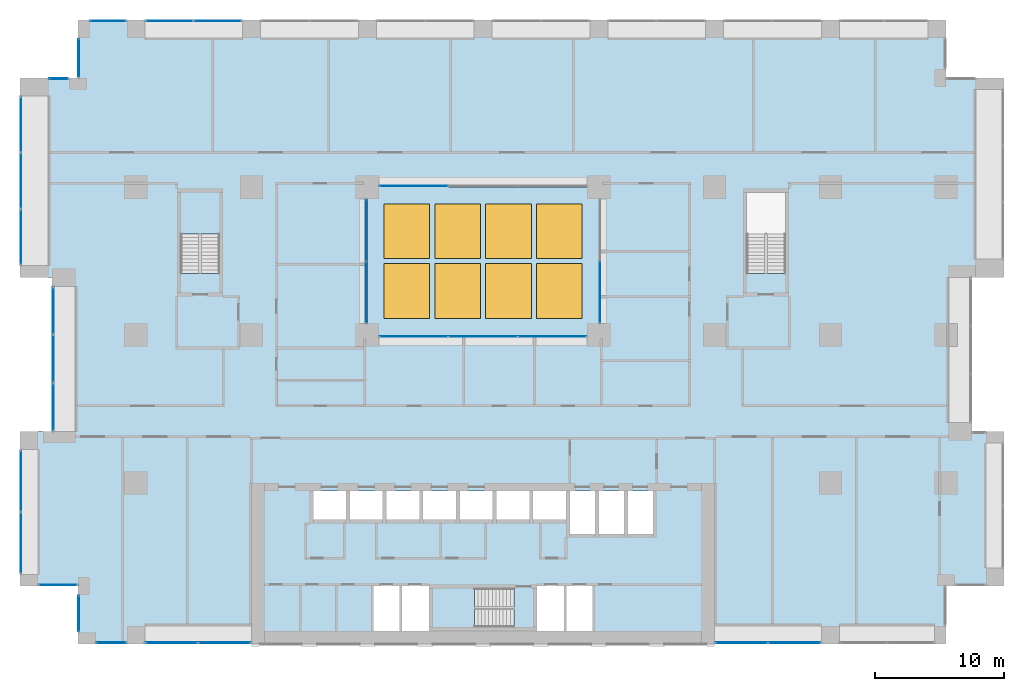
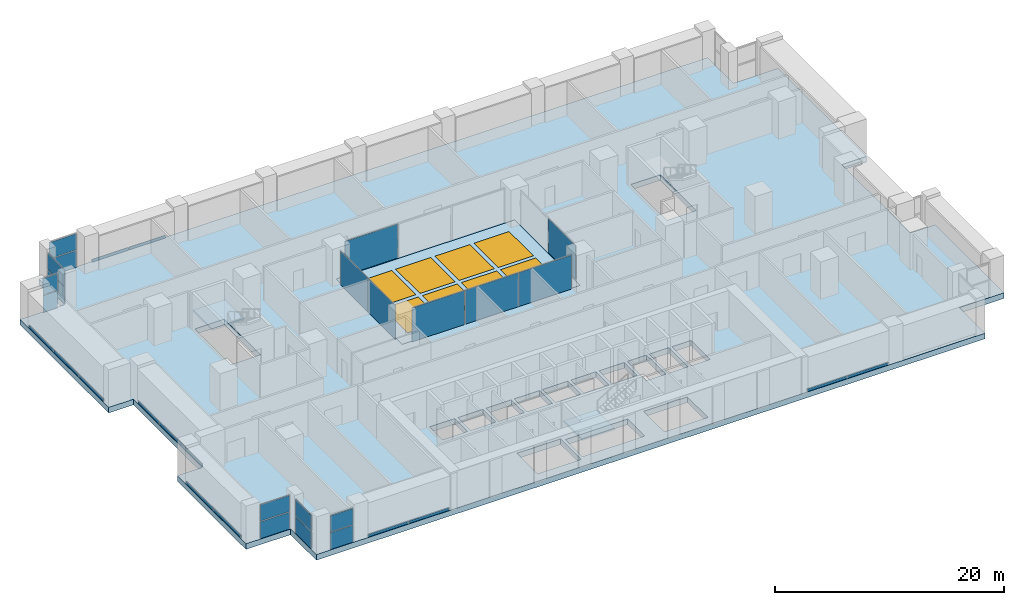
# One storey, part 18 of 24: 33 plates, 8 windows, 4 slabs, 8 openings, 18 elements without a shape of their own.
"""IFC4 building model written with IfcOpenShell, lengths in metres."""

from ifc_helpers import new_model, si_unit, direction, frame, origin, origin_2d, place, context, subcontext, project, spatial, polyline, rectangle, outline, extrude, material, layer, layer_set, type_object, element, fill, aggregate, save


model = new_model("IFC4")

# Units and contexts
model_context = context("Model", 3, precision=1e-05, world=origin(), true_north=direction((0.0, 1.0)))
body_context = subcontext(model_context, "Body", "Model", "MODEL_VIEW")
ifc_project = project(units=[si_unit("LENGTHUNIT", "METRE"), si_unit("AREAUNIT", "SQUARE_METRE"), si_unit("VOLUMEUNIT", "CUBIC_METRE"), si_unit("PLANEANGLEUNIT", "RADIAN"), si_unit("MASSUNIT", "GRAM", prefix="KILO")], contexts=[model_context])

# Site, building, storey
site_placement = place(None, origin())
site = spatial("IfcSite", under=ifc_project, at=site_placement, CompositionType="ELEMENT")
building_placement = place(site_placement, origin())
building = spatial("IfcBuilding", under=site, at=building_placement, Name="Brigalow Station Residences", CompositionType="ELEMENT")
storey_placement = place(building_placement, frame((0.0, 0.0, 15.5)))
storey = spatial("IfcBuildingStorey", under=building, at=storey_placement, Name="L03", CompositionType="ELEMENT", Elevation=15.5)

# Curtain wall, plates
ifc_material_1 = material(Name="Aluminium", Category="aluminium")
ifc_layer_1 = layer(ifc_material_1, 0.14990234375)
ifc_layer_set_1 = layer_set([ifc_layer_1], Name="ATRIUM FIRE-RATED GLAZING CURTAIN WALL")
curtain_wall_type_1 = type_object("IfcCurtainWallType", Name="ATRIUM FIRE-RATED GLAZING CURTAIN WALL", PredefinedType="NOTDEFINED", material=ifc_layer_set_1)
curtain_wall_1_placement = place(storey_placement, origin())
curtain_wall_1 = element("IfcCurtainWall", 1, at=curtain_wall_1_placement, inside=storey, type_object=curtain_wall_type_1, Name="L03/cw/atrium-S", PredefinedType="NOTDEFINED")
ifc_material_2 = material(Name="Fire-resisting laminated glazing, FRL -/60/-", Category="glass")
ifc_layer_2 = layer(ifc_material_2, 0.031982421875)
ifc_layer_set_2 = layer_set([ifc_layer_2], Name="ATRIUM FIRE-RATED GLAZING PANEL 32")
plate_type_1 = type_object("IfcPlateType", Name="ATRIUM FIRE-RATED GLAZING PANEL 32", PredefinedType="CURTAIN_PANEL", material=ifc_layer_set_2)
plate_1_placement = place(storey_placement, frame((30.614990234375, 23.89990234375, 0.0), z_axis=(0.0, 0.0, 1.0), x_axis=(1.0, 0.0, 0.0)))
plate_1 = element("IfcPlate", 2, at=plate_1_placement, type_object=plate_type_1, Name="L03/cw/atrium-S/P00-00", PredefinedType="CURTAIN_PANEL", context=body_context, shape_type="SweptSolid", body=[
    extrude(rectangle(XDim=5.31005859375, YDim=0.031982421875, at=origin_2d()), origin(), (0.0, 0.0, 1.0), 3.6201171875),
])
plate_2_placement = place(storey_placement, frame((36.0, 23.89990234375, 0.0), z_axis=(0.0, 0.0, 1.0), x_axis=(1.0, 0.0, 0.0)))
plate_2 = element("IfcPlate", 3, at=plate_2_placement, type_object=plate_type_1, Name="L03/cw/atrium-S/P01-00", PredefinedType="CURTAIN_PANEL", context=body_context, shape_type="SweptSolid", body=[
    extrude(rectangle(XDim=5.340087890625, YDim=0.031982421875, at=origin_2d()), origin(), (0.0, 0.0, 1.0), 3.6201171875),
])
plate_3_placement = place(storey_placement, frame((41.385009765625, 23.89990234375, 0.0), z_axis=(0.0, 0.0, 1.0), x_axis=(1.0, 0.0, 0.0)))
plate_3 = element("IfcPlate", 4, at=plate_3_placement, type_object=plate_type_1, Name="L03/cw/atrium-S/P02-00", PredefinedType="CURTAIN_PANEL", context=body_context, shape_type="SweptSolid", body=[
    extrude(rectangle(XDim=5.31005859375, YDim=0.031982421875, at=origin_2d()), origin(), (0.0, 0.0, 1.0), 3.6201171875),
])
aggregate(curtain_wall_1, [plate_1, plate_2, plate_3])

# Curtain wall, plate
curtain_wall_2_placement = place(storey_placement, origin())
curtain_wall_2 = element("IfcCurtainWall", 5, at=curtain_wall_2_placement, inside=storey, type_object=curtain_wall_type_1, Name="L03/cw/atrium-E", PredefinedType="NOTDEFINED")
plate_4_placement = place(storey_placement, frame((45.10009765625, 27.340087890625, 0.0), z_axis=(0.0, 0.0, 1.0), x_axis=(0.0, 1.0, 0.0)))
plate_4 = element("IfcPlate", 6, at=plate_4_placement, type_object=plate_type_1, Name="L03/cw/atrium-E/P00-00", PredefinedType="CURTAIN_PANEL", context=body_context, shape_type="SweptSolid", body=[
    extrude(rectangle(XDim=4.760009765625, YDim=0.031982421875, at=origin_2d()), origin(), (0.0, 0.0, 1.0), 3.6201171875),
])
aggregate(curtain_wall_2, [plate_4])

curtain_wall_3_placement = place(storey_placement, origin())
curtain_wall_3 = element("IfcCurtainWall", 7, at=curtain_wall_3_placement, inside=storey, type_object=curtain_wall_type_1, Name="L03/cw/atrium-N", PredefinedType="NOTDEFINED")
plate_5_placement = place(storey_placement, frame((30.614990234375, 35.60009765625, 0.0), z_axis=(0.0, 0.0, 1.0), x_axis=(-1.0, 0.0, 0.0)))
plate_5 = element("IfcPlate", 8, at=plate_5_placement, type_object=plate_type_1, Name="L03/cw/atrium-N/P02-00", PredefinedType="CURTAIN_PANEL", context=body_context, shape_type="SweptSolid", body=[
    extrude(rectangle(XDim=5.31005859375, YDim=0.031982421875, at=origin_2d()), origin(), (0.0, 0.0, 1.0), 3.6201171875),
])
aggregate(curtain_wall_3, [plate_5])

# Curtain wall, plates
curtain_wall_4_placement = place(storey_placement, origin())
curtain_wall_4 = element("IfcCurtainWall", 9, at=curtain_wall_4_placement, inside=storey, type_object=curtain_wall_type_1, Name="L03/cw/atrium-W", PredefinedType="NOTDEFINED")
plate_6_placement = place(storey_placement, frame((26.89990234375, 32.159912109375, 0.0), z_axis=(0.0, 0.0, 1.0), x_axis=(0.0, -1.0, 0.0)))
plate_6 = element("IfcPlate", 10, at=plate_6_placement, type_object=plate_type_1, Name="L03/cw/atrium-W/P00-00", PredefinedType="CURTAIN_PANEL", context=body_context, shape_type="SweptSolid", body=[
    extrude(rectangle(XDim=4.760009765625, YDim=0.031982421875, at=origin_2d()), origin(), (0.0, 0.0, 1.0), 3.6201171875),
])
plate_7_placement = place(storey_placement, frame((26.89990234375, 27.340087890625, 0.0), z_axis=(0.0, 0.0, 1.0), x_axis=(0.0, -1.0, 0.0)))
plate_7 = element("IfcPlate", 11, at=plate_7_placement, type_object=plate_type_1, Name="L03/cw/atrium-W/P01-00", PredefinedType="CURTAIN_PANEL", context=body_context, shape_type="SweptSolid", body=[
    extrude(rectangle(XDim=4.760009765625, YDim=0.031982421875, at=origin_2d()), origin(), (0.0, 0.0, 1.0), 3.6201171875),
])
aggregate(curtain_wall_4, [plate_6, plate_7])

# Slab, openings, windows
ifc_material_3 = material(Name="Concrete C50", Category="concrete")
ifc_layer_3 = layer(ifc_material_3, 0.60009765625)
ifc_layer_set_3 = layer_set([ifc_layer_3], Name="ATRIUM LID FRAME 600")
slab_type_1 = type_object("IfcSlabType", Name="ATRIUM LID FRAME 600", PredefinedType="ROOF", material=ifc_layer_set_3)
slab_1_placement = place(storey_placement, frame((0.0, 0.0, -0.60009765625)))
slab_1 = element("IfcSlab", 12, at=slab_1_placement, inside=storey, type_object=slab_type_1, Name="L03/atrium-lid", PredefinedType="ROOF", context=body_context, shape_type="SweptSolid", body=[
    extrude(outline(polyline([(27.0, 24.0), (45.0, 24.0), (45.0, 35.5), (27.0, 35.5), (27.0, 24.0)])), origin(), (0.0, 0.0, 1.0), 0.60009765625),
])
opening_1_placement = place(slab_1_placement, frame((30.074951171875, 27.425048828125, 0.0)))
opening_1 = element("IfcOpeningElement", 13, at=opening_1_placement, cuts=slab_1, Name="Opening SK-1", PredefinedType="OPENING", context=body_context, shape_type="SweptSolid", body=[
    extrude(rectangle(XDim=3.550048828125, YDim=4.25, at=origin_2d()), origin(), (0.0, 0.0, 1.0), 0.60009765625),
])
opening_2_placement = place(slab_1_placement, frame((30.074951171875, 32.074951171875, 0.0)))
opening_2 = element("IfcOpeningElement", 14, at=opening_2_placement, cuts=slab_1, Name="Opening SK-2", PredefinedType="OPENING", context=body_context, shape_type="SweptSolid", body=[
    extrude(rectangle(XDim=3.550048828125, YDim=4.25, at=origin_2d()), origin(), (0.0, 0.0, 1.0), 0.60009765625),
])
opening_3_placement = place(slab_1_placement, frame((34.02490234375, 27.425048828125, 0.0)))
opening_3 = element("IfcOpeningElement", 15, at=opening_3_placement, cuts=slab_1, Name="Opening SK-3", PredefinedType="OPENING", context=body_context, shape_type="SweptSolid", body=[
    extrude(rectangle(XDim=3.550048828125, YDim=4.25, at=origin_2d()), origin(), (0.0, 0.0, 1.0), 0.60009765625),
])
opening_4_placement = place(slab_1_placement, frame((34.02490234375, 32.074951171875, 0.0)))
opening_4 = element("IfcOpeningElement", 16, at=opening_4_placement, cuts=slab_1, Name="Opening SK-4", PredefinedType="OPENING", context=body_context, shape_type="SweptSolid", body=[
    extrude(rectangle(XDim=3.550048828125, YDim=4.25, at=origin_2d()), origin(), (0.0, 0.0, 1.0), 0.60009765625),
])
opening_5_placement = place(slab_1_placement, frame((37.97509765625, 27.425048828125, 0.0)))
opening_5 = element("IfcOpeningElement", 17, at=opening_5_placement, cuts=slab_1, Name="Opening SK-5", PredefinedType="OPENING", context=body_context, shape_type="SweptSolid", body=[
    extrude(rectangle(XDim=3.550048828125, YDim=4.25, at=origin_2d()), origin(), (0.0, 0.0, 1.0), 0.60009765625),
])
opening_6_placement = place(slab_1_placement, frame((37.97509765625, 32.074951171875, 0.0)))
opening_6 = element("IfcOpeningElement", 18, at=opening_6_placement, cuts=slab_1, Name="Opening SK-6", PredefinedType="OPENING", context=body_context, shape_type="SweptSolid", body=[
    extrude(rectangle(XDim=3.550048828125, YDim=4.25, at=origin_2d()), origin(), (0.0, 0.0, 1.0), 0.60009765625),
])
opening_7_placement = place(slab_1_placement, frame((41.925048828125, 27.425048828125, 0.0)))
opening_7 = element("IfcOpeningElement", 19, at=opening_7_placement, cuts=slab_1, Name="Opening SK-7", PredefinedType="OPENING", context=body_context, shape_type="SweptSolid", body=[
    extrude(rectangle(XDim=3.550048828125, YDim=4.25, at=origin_2d()), origin(), (0.0, 0.0, 1.0), 0.60009765625),
])
opening_8_placement = place(slab_1_placement, frame((41.925048828125, 32.074951171875, 0.0)))
opening_8 = element("IfcOpeningElement", 20, at=opening_8_placement, cuts=slab_1, Name="Opening SK-8", PredefinedType="OPENING", context=body_context, shape_type="SweptSolid", body=[
    extrude(rectangle(XDim=3.550048828125, YDim=4.25, at=origin_2d()), origin(), (0.0, 0.0, 1.0), 0.60009765625),
])
ifc_material_4 = material(Name="Fire-resisting laminated glazing, FRL -/60/-", Category="glass")
window_type = type_object("IfcWindowType", Name="ATRIUM LID SKYLIGHT 3550x4250", PartitioningType="SINGLE_PANEL", PredefinedType="SKYLIGHT", material=ifc_material_4)
window_1_placement = place(opening_1_placement, frame((0.0, 0.0, 0.550048828125)))
window_1 = element("IfcWindow", 21, at=window_1_placement, inside=storey, type_object=window_type, Name="L03/atrium-lid-skylight/1", OverallHeight=4.25, OverallWidth=3.550048828125, PartitioningType="SINGLE_PANEL", PredefinedType="SKYLIGHT", context=body_context, shape_type="SweptSolid", body=[
    extrude(rectangle(XDim=3.550048828125, YDim=4.25, at=origin_2d()), origin(), (0.0, 0.0, 1.0), 0.050048828125),
])
fill(opening_1, window_1)
window_2_placement = place(opening_2_placement, frame((0.0, 0.0, 0.550048828125)))
window_2 = element("IfcWindow", 22, at=window_2_placement, inside=storey, type_object=window_type, Name="L03/atrium-lid-skylight/2", OverallHeight=4.25, OverallWidth=3.550048828125, PartitioningType="SINGLE_PANEL", PredefinedType="SKYLIGHT", context=body_context, shape_type="SweptSolid", body=[
    extrude(rectangle(XDim=3.550048828125, YDim=4.25, at=origin_2d()), origin(), (0.0, 0.0, 1.0), 0.050048828125),
])
fill(opening_2, window_2)
window_3_placement = place(opening_3_placement, frame((0.0, 0.0, 0.550048828125)))
window_3 = element("IfcWindow", 23, at=window_3_placement, inside=storey, type_object=window_type, Name="L03/atrium-lid-skylight/3", OverallHeight=4.25, OverallWidth=3.550048828125, PartitioningType="SINGLE_PANEL", PredefinedType="SKYLIGHT", context=body_context, shape_type="SweptSolid", body=[
    extrude(rectangle(XDim=3.550048828125, YDim=4.25, at=origin_2d()), origin(), (0.0, 0.0, 1.0), 0.050048828125),
])
fill(opening_3, window_3)
window_4_placement = place(opening_4_placement, frame((0.0, 0.0, 0.550048828125)))
window_4 = element("IfcWindow", 24, at=window_4_placement, inside=storey, type_object=window_type, Name="L03/atrium-lid-skylight/4", OverallHeight=4.25, OverallWidth=3.550048828125, PartitioningType="SINGLE_PANEL", PredefinedType="SKYLIGHT", context=body_context, shape_type="SweptSolid", body=[
    extrude(rectangle(XDim=3.550048828125, YDim=4.25, at=origin_2d()), origin(), (0.0, 0.0, 1.0), 0.050048828125),
])
fill(opening_4, window_4)
window_5_placement = place(opening_5_placement, frame((0.0, 0.0, 0.550048828125)))
window_5 = element("IfcWindow", 25, at=window_5_placement, inside=storey, type_object=window_type, Name="L03/atrium-lid-skylight/5", OverallHeight=4.25, OverallWidth=3.550048828125, PartitioningType="SINGLE_PANEL", PredefinedType="SKYLIGHT", context=body_context, shape_type="SweptSolid", body=[
    extrude(rectangle(XDim=3.550048828125, YDim=4.25, at=origin_2d()), origin(), (0.0, 0.0, 1.0), 0.050048828125),
])
fill(opening_5, window_5)
window_6_placement = place(opening_6_placement, frame((0.0, 0.0, 0.550048828125)))
window_6 = element("IfcWindow", 26, at=window_6_placement, inside=storey, type_object=window_type, Name="L03/atrium-lid-skylight/6", OverallHeight=4.25, OverallWidth=3.550048828125, PartitioningType="SINGLE_PANEL", PredefinedType="SKYLIGHT", context=body_context, shape_type="SweptSolid", body=[
    extrude(rectangle(XDim=3.550048828125, YDim=4.25, at=origin_2d()), origin(), (0.0, 0.0, 1.0), 0.050048828125),
])
fill(opening_6, window_6)
window_7_placement = place(opening_7_placement, frame((0.0, 0.0, 0.550048828125)))
window_7 = element("IfcWindow", 27, at=window_7_placement, inside=storey, type_object=window_type, Name="L03/atrium-lid-skylight/7", OverallHeight=4.25, OverallWidth=3.550048828125, PartitioningType="SINGLE_PANEL", PredefinedType="SKYLIGHT", context=body_context, shape_type="SweptSolid", body=[
    extrude(rectangle(XDim=3.550048828125, YDim=4.25, at=origin_2d()), origin(), (0.0, 0.0, 1.0), 0.050048828125),
])
fill(opening_7, window_7)
window_8_placement = place(opening_8_placement, frame((0.0, 0.0, 0.550048828125)))
window_8 = element("IfcWindow", 28, at=window_8_placement, inside=storey, type_object=window_type, Name="L03/atrium-lid-skylight/8", OverallHeight=4.25, OverallWidth=3.550048828125, PartitioningType="SINGLE_PANEL", PredefinedType="SKYLIGHT", context=body_context, shape_type="SweptSolid", body=[
    extrude(rectangle(XDim=3.550048828125, YDim=4.25, at=origin_2d()), origin(), (0.0, 0.0, 1.0), 0.050048828125),
])
fill(opening_8, window_8)

# Curtain wall, plates
ifc_material_5 = material(Name="Aluminium", Category="aluminium")
ifc_layer_4 = layer(ifc_material_5, 0.199951171875)
ifc_layer_set_4 = layer_set([ifc_layer_4], Name="REFUGE FLOOR LOUVRE CURTAIN WALL")
curtain_wall_type_2 = type_object("IfcCurtainWallType", Name="REFUGE FLOOR LOUVRE CURTAIN WALL", PredefinedType="NOTDEFINED", material=ifc_layer_set_4)
curtain_wall_5_placement = place(storey_placement, origin())
curtain_wall_5 = element("IfcCurtainWall", 29, at=curtain_wall_5_placement, inside=storey, type_object=curtain_wall_type_2, Name="L03/cw/louvre-W-L03-1-1", PredefinedType="NOTDEFINED")
ifc_material_6 = material(Name="Aluminium louvre blade", Category="aluminium")
ifc_layer_5 = layer(ifc_material_6, 0.070068359375)
ifc_layer_set_5 = layer_set([ifc_layer_5], Name="REFUGE FLOOR LOUVRE PANEL 70")
plate_type_2 = type_object("IfcPlateType", Name="REFUGE FLOOR LOUVRE PANEL 70", PredefinedType="CURTAIN_PANEL", material=ifc_layer_set_5)
plate_8_placement = place(storey_placement, frame((7.10009765625, 0.074951171875, 0.0), z_axis=(0.0, 0.0, 1.0), x_axis=(1.0, 0.0, 0.0)))
plate_8 = element("IfcPlate", 30, at=plate_8_placement, type_object=plate_type_2, Name="L03/cw/louvre-W-L03-1-1/P00-00", PredefinedType="CURTAIN_PANEL", context=body_context, shape_type="SweptSolid", body=[
    extrude(rectangle(XDim=2.239990234375, YDim=0.070068359375, at=origin_2d()), origin(), (0.0, 0.0, 1.0), 1.800048828125),
])
plate_9_placement = place(storey_placement, frame((7.10009765625, 0.074951171875, 1.8798828125), z_axis=(0.0, 0.0, 1.0), x_axis=(1.0, 0.0, 0.0)))
plate_9 = element("IfcPlate", 31, at=plate_9_placement, type_object=plate_type_2, Name="L03/cw/louvre-W-L03-1-1/P00-01", PredefinedType="CURTAIN_PANEL", context=body_context, shape_type="SweptSolid", body=[
    extrude(rectangle(XDim=2.239990234375, YDim=0.070068359375, at=origin_2d()), origin(), (0.0, 0.0, 1.0), 1.719970703125),
])
aggregate(curtain_wall_5, [plate_8, plate_9])

curtain_wall_6_placement = place(storey_placement, origin())
curtain_wall_6 = element("IfcCurtainWall", 32, at=curtain_wall_6_placement, inside=storey, type_object=curtain_wall_type_2, Name="L03/cw/louvre-W-L03-25-7", PredefinedType="NOTDEFINED")
plate_10_placement = place(storey_placement, frame((6.85009765625, 48.425048828125, 0.0), z_axis=(0.0, 0.0, 1.0), x_axis=(-1.0, 0.0, 0.0)))
plate_10 = element("IfcPlate", 33, at=plate_10_placement, type_object=plate_type_2, Name="L03/cw/louvre-W-L03-25-7/P00-00", PredefinedType="CURTAIN_PANEL", context=body_context, shape_type="SweptSolid", body=[
    extrude(rectangle(XDim=2.739990234375, YDim=0.070068359375, at=origin_2d()), origin(), (0.0, 0.0, 1.0), 1.800048828125),
])
plate_11_placement = place(storey_placement, frame((6.85009765625, 48.425048828125, 1.8798828125), z_axis=(0.0, 0.0, 1.0), x_axis=(-1.0, 0.0, 0.0)))
plate_11 = element("IfcPlate", 34, at=plate_11_placement, type_object=plate_type_2, Name="L03/cw/louvre-W-L03-25-7/P00-01", PredefinedType="CURTAIN_PANEL", context=body_context, shape_type="SweptSolid", body=[
    extrude(rectangle(XDim=2.739990234375, YDim=0.070068359375, at=origin_2d()), origin(), (0.0, 0.0, 1.0), 1.719970703125),
])
aggregate(curtain_wall_6, [plate_10, plate_11])

curtain_wall_7_placement = place(storey_placement, origin())
curtain_wall_7 = element("IfcCurtainWall", 35, at=curtain_wall_7_placement, inside=storey, type_object=curtain_wall_type_2, Name="L03/cw/louvre-W-L03-40-8", PredefinedType="NOTDEFINED")
plate_12_placement = place(storey_placement, frame((4.574951171875, 45.550048828125, 0.0), z_axis=(0.0, 0.0, 1.0), x_axis=(0.0, -1.0, 0.0)))
plate_12 = element("IfcPlate", 36, at=plate_12_placement, type_object=plate_type_2, Name="L03/cw/louvre-W-L03-40-8/P00-00", PredefinedType="CURTAIN_PANEL", context=body_context, shape_type="SweptSolid", body=[
    extrude(rectangle(XDim=2.93994140625, YDim=0.070068359375, at=origin_2d()), origin(), (0.0, 0.0, 1.0), 1.800048828125),
])
plate_13_placement = place(storey_placement, frame((4.574951171875, 45.550048828125, 1.8798828125), z_axis=(0.0, 0.0, 1.0), x_axis=(0.0, -1.0, 0.0)))
plate_13 = element("IfcPlate", 37, at=plate_13_placement, type_object=plate_type_2, Name="L03/cw/louvre-W-L03-40-8/P00-01", PredefinedType="CURTAIN_PANEL", context=body_context, shape_type="SweptSolid", body=[
    extrude(rectangle(XDim=2.93994140625, YDim=0.070068359375, at=origin_2d()), origin(), (0.0, 0.0, 1.0), 1.719970703125),
])
aggregate(curtain_wall_7, [plate_12, plate_13])

curtain_wall_8_placement = place(storey_placement, origin())
curtain_wall_8 = element("IfcCurtainWall", 38, at=curtain_wall_8_placement, inside=storey, type_object=curtain_wall_type_2, Name="L03/cw/louvre-W-L03-41-9", PredefinedType="NOTDEFINED")
plate_14_placement = place(storey_placement, frame((3.0, 43.925048828125, 0.0), z_axis=(0.0, 0.0, 1.0), x_axis=(-1.0, 0.0, 0.0)))
plate_14 = element("IfcPlate", 39, at=plate_14_placement, type_object=plate_type_2, Name="L03/cw/louvre-W-L03-41-9/P00-00", PredefinedType="CURTAIN_PANEL", context=body_context, shape_type="SweptSolid", body=[
    extrude(rectangle(XDim=1.43994140625, YDim=0.070068359375, at=origin_2d()), origin(), (0.0, 0.0, 1.0), 1.800048828125),
])
plate_15_placement = place(storey_placement, frame((3.0, 43.925048828125, 1.8798828125), z_axis=(0.0, 0.0, 1.0), x_axis=(-1.0, 0.0, 0.0)))
plate_15 = element("IfcPlate", 40, at=plate_15_placement, type_object=plate_type_2, Name="L03/cw/louvre-W-L03-41-9/P00-01", PredefinedType="CURTAIN_PANEL", context=body_context, shape_type="SweptSolid", body=[
    extrude(rectangle(XDim=1.43994140625, YDim=0.070068359375, at=origin_2d()), origin(), (0.0, 0.0, 1.0), 1.719970703125),
])
aggregate(curtain_wall_8, [plate_14, plate_15])

curtain_wall_9_placement = place(storey_placement, origin())
curtain_wall_9 = element("IfcCurtainWall", 41, at=curtain_wall_9_placement, inside=storey, type_object=curtain_wall_type_2, Name="L03/cw/louvre-W-L03-54-10", PredefinedType="NOTDEFINED")
plate_16_placement = place(storey_placement, frame((2.949951171875, 4.574951171875, 0.0), z_axis=(0.0, 0.0, 1.0), x_axis=(1.0, 0.0, 0.0)))
plate_16 = element("IfcPlate", 42, at=plate_16_placement, type_object=plate_type_2, Name="L03/cw/louvre-W-L03-54-10/P00-00", PredefinedType="CURTAIN_PANEL", context=body_context, shape_type="SweptSolid", body=[
    extrude(rectangle(XDim=2.93994140625, YDim=0.070068359375, at=origin_2d()), origin(), (0.0, 0.0, 1.0), 1.800048828125),
])
plate_17_placement = place(storey_placement, frame((2.949951171875, 4.574951171875, 1.8798828125), z_axis=(0.0, 0.0, 1.0), x_axis=(1.0, 0.0, 0.0)))
plate_17 = element("IfcPlate", 43, at=plate_17_placement, type_object=plate_type_2, Name="L03/cw/louvre-W-L03-54-10/P00-01", PredefinedType="CURTAIN_PANEL", context=body_context, shape_type="SweptSolid", body=[
    extrude(rectangle(XDim=2.93994140625, YDim=0.070068359375, at=origin_2d()), origin(), (0.0, 0.0, 1.0), 1.719970703125),
])
aggregate(curtain_wall_9, [plate_16, plate_17])

curtain_wall_10_placement = place(storey_placement, origin())
curtain_wall_10 = element("IfcCurtainWall", 44, at=curtain_wall_10_placement, inside=storey, type_object=curtain_wall_type_2, Name="L03/cw/louvre-W-L03-55-11", PredefinedType="NOTDEFINED")
plate_18_placement = place(storey_placement, frame((4.574951171875, 2.35009765625, 0.0), z_axis=(0.0, 0.0, 1.0), x_axis=(0.0, -1.0, 0.0)))
plate_18 = element("IfcPlate", 45, at=plate_18_placement, type_object=plate_type_2, Name="L03/cw/louvre-W-L03-55-11/P00-00", PredefinedType="CURTAIN_PANEL", context=body_context, shape_type="SweptSolid", body=[
    extrude(rectangle(XDim=2.739990234375, YDim=0.070068359375, at=origin_2d()), origin(), (0.0, 0.0, 1.0), 1.800048828125),
])
plate_19_placement = place(storey_placement, frame((4.574951171875, 2.35009765625, 1.8798828125), z_axis=(0.0, 0.0, 1.0), x_axis=(0.0, -1.0, 0.0)))
plate_19 = element("IfcPlate", 46, at=plate_19_placement, type_object=plate_type_2, Name="L03/cw/louvre-W-L03-55-11/P00-01", PredefinedType="CURTAIN_PANEL", context=body_context, shape_type="SweptSolid", body=[
    extrude(rectangle(XDim=2.739990234375, YDim=0.070068359375, at=origin_2d()), origin(), (0.0, 0.0, 1.0), 1.719970703125),
])
aggregate(curtain_wall_10, [plate_18, plate_19])

curtain_wall_11_placement = place(storey_placement, origin())
curtain_wall_11 = element("IfcCurtainWall", 47, at=curtain_wall_11_placement, inside=storey, type_object=curtain_wall_type_2, Name="L03/cw/louvre-slot-W-L03-1-1", PredefinedType="NOTDEFINED")
plate_20_placement = place(storey_placement, frame((11.794921875, 0.074951171875, 0.0), z_axis=(0.0, 0.0, 1.0), x_axis=(1.0, 0.0, 0.0)))
plate_20 = element("IfcPlate", 48, at=plate_20_placement, type_object=plate_type_2, Name="L03/cw/louvre-slot-W-L03-1-1/P00-00", PredefinedType="CURTAIN_PANEL", context=body_context, shape_type="SweptSolid", body=[
    extrude(rectangle(XDim=4.030029296875, YDim=0.070068359375, at=origin_2d()), origin(), (0.0, 0.0, 1.0), 0.280029296875),
])
plate_21_placement = place(storey_placement, frame((15.905029296875, 0.074951171875, 0.0), z_axis=(0.0, 0.0, 1.0), x_axis=(1.0, 0.0, 0.0)))
plate_21 = element("IfcPlate", 49, at=plate_21_placement, type_object=plate_type_2, Name="L03/cw/louvre-slot-W-L03-1-1/P01-00", PredefinedType="CURTAIN_PANEL", context=body_context, shape_type="SweptSolid", body=[
    extrude(rectangle(XDim=4.030029296875, YDim=0.070068359375, at=origin_2d()), origin(), (0.0, 0.0, 1.0), 0.280029296875),
])
aggregate(curtain_wall_11, [plate_20, plate_21])

curtain_wall_12_placement = place(storey_placement, origin())
curtain_wall_12 = element("IfcCurtainWall", 50, at=curtain_wall_12_placement, inside=storey, type_object=curtain_wall_type_2, Name="L03/cw/louvre-slot-W-L03-5-2", PredefinedType="NOTDEFINED")
plate_22_placement = place(storey_placement, frame((56.094970703125, 0.074951171875, 0.0), z_axis=(0.0, 0.0, 1.0), x_axis=(1.0, 0.0, 0.0)))
plate_22 = element("IfcPlate", 51, at=plate_22_placement, type_object=plate_type_2, Name="L03/cw/louvre-slot-W-L03-5-2/P00-00", PredefinedType="CURTAIN_PANEL", context=body_context, shape_type="SweptSolid", body=[
    extrude(rectangle(XDim=4.030029296875, YDim=0.070068359375, at=origin_2d()), origin(), (0.0, 0.0, 1.0), 0.280029296875),
])
plate_23_placement = place(storey_placement, frame((60.205078125, 0.074951171875, 0.0), z_axis=(0.0, 0.0, 1.0), x_axis=(1.0, 0.0, 0.0)))
plate_23 = element("IfcPlate", 52, at=plate_23_placement, type_object=plate_type_2, Name="L03/cw/louvre-slot-W-L03-5-2/P01-00", PredefinedType="CURTAIN_PANEL", context=body_context, shape_type="SweptSolid", body=[
    extrude(rectangle(XDim=4.030029296875, YDim=0.070068359375, at=origin_2d()), origin(), (0.0, 0.0, 1.0), 0.280029296875),
])
aggregate(curtain_wall_12, [plate_22, plate_23])

curtain_wall_13_placement = place(storey_placement, origin())
curtain_wall_13 = element("IfcCurtainWall", 53, at=curtain_wall_13_placement, inside=storey, type_object=curtain_wall_type_2, Name="L03/cw/louvre-slot-W-L03-25-13", PredefinedType="NOTDEFINED")
plate_24_placement = place(storey_placement, frame((15.3798828125, 48.425048828125, 0.0), z_axis=(0.0, 0.0, 1.0), x_axis=(-1.0, 0.0, 0.0)))
plate_24 = element("IfcPlate", 54, at=plate_24_placement, type_object=plate_type_2, Name="L03/cw/louvre-slot-W-L03-25-13/P00-00", PredefinedType="CURTAIN_PANEL", context=body_context, shape_type="SweptSolid", body=[
    extrude(rectangle(XDim=3.679931640625, YDim=0.070068359375, at=origin_2d()), origin(), (0.0, 0.0, 1.0), 0.280029296875),
])
plate_25_placement = place(storey_placement, frame((11.6201171875, 48.425048828125, 0.0), z_axis=(0.0, 0.0, 1.0), x_axis=(-1.0, 0.0, 0.0)))
plate_25 = element("IfcPlate", 55, at=plate_25_placement, type_object=plate_type_2, Name="L03/cw/louvre-slot-W-L03-25-13/P01-00", PredefinedType="CURTAIN_PANEL", context=body_context, shape_type="SweptSolid", body=[
    extrude(rectangle(XDim=3.679931640625, YDim=0.070068359375, at=origin_2d()), origin(), (0.0, 0.0, 1.0), 0.280029296875),
])
aggregate(curtain_wall_13, [plate_24, plate_25])

curtain_wall_14_placement = place(storey_placement, origin())
curtain_wall_14 = element("IfcCurtainWall", 56, at=curtain_wall_14_placement, inside=storey, type_object=curtain_wall_type_2, Name="L03/cw/louvre-slot-W-L03-42-14", PredefinedType="NOTDEFINED")
plate_26_placement = place(storey_placement, frame((0.074951171875, 40.3798828125, 0.0), z_axis=(0.0, 0.0, 1.0), x_axis=(0.0, -1.0, 0.0)))
plate_26 = element("IfcPlate", 57, at=plate_26_placement, type_object=plate_type_2, Name="L03/cw/louvre-slot-W-L03-42-14/P00-00", PredefinedType="CURTAIN_PANEL", context=body_context, shape_type="SweptSolid", body=[
    extrude(rectangle(XDim=4.280029296875, YDim=0.070068359375, at=origin_2d()), origin(), (0.0, 0.0, 1.0), 0.280029296875),
])
plate_27_placement = place(storey_placement, frame((0.074951171875, 36.0, 0.0), z_axis=(0.0, 0.0, 1.0), x_axis=(0.0, -1.0, 0.0)))
plate_27 = element("IfcPlate", 58, at=plate_27_placement, type_object=plate_type_2, Name="L03/cw/louvre-slot-W-L03-42-14/P01-00", PredefinedType="CURTAIN_PANEL", context=body_context, shape_type="SweptSolid", body=[
    extrude(rectangle(XDim=4.320068359375, YDim=0.070068359375, at=origin_2d()), origin(), (0.0, 0.0, 1.0), 0.280029296875),
])
plate_28_placement = place(storey_placement, frame((0.074951171875, 31.6201171875, 0.0), z_axis=(0.0, 0.0, 1.0), x_axis=(0.0, -1.0, 0.0)))
plate_28 = element("IfcPlate", 59, at=plate_28_placement, type_object=plate_type_2, Name="L03/cw/louvre-slot-W-L03-42-14/P02-00", PredefinedType="CURTAIN_PANEL", context=body_context, shape_type="SweptSolid", body=[
    extrude(rectangle(XDim=4.280029296875, YDim=0.070068359375, at=origin_2d()), origin(), (0.0, 0.0, 1.0), 0.280029296875),
])
aggregate(curtain_wall_14, [plate_26, plate_27, plate_28])

curtain_wall_15_placement = place(storey_placement, origin())
curtain_wall_15 = element("IfcCurtainWall", 60, at=curtain_wall_15_placement, inside=storey, type_object=curtain_wall_type_2, Name="L03/cw/louvre-slot-W-L03-47-15", PredefinedType="NOTDEFINED")
plate_29_placement = place(storey_placement, frame((2.574951171875, 25.896728515625, 0.0), z_axis=(0.0, 0.0, 1.0), x_axis=(0.0, -1.0, 0.0)))
plate_29 = element("IfcPlate", 61, at=plate_29_placement, type_object=plate_type_2, Name="L03/cw/louvre-slot-W-L03-47-15/P00-00", PredefinedType="CURTAIN_PANEL", context=body_context, shape_type="SweptSolid", body=[
    extrude(rectangle(XDim=3.646728515625, YDim=0.070068359375, at=origin_2d()), origin(), (0.0, 0.0, 1.0), 0.280029296875),
])
plate_30_placement = place(storey_placement, frame((2.574951171875, 22.14990234375, 0.0), z_axis=(0.0, 0.0, 1.0), x_axis=(0.0, -1.0, 0.0)))
plate_30 = element("IfcPlate", 62, at=plate_30_placement, type_object=plate_type_2, Name="L03/cw/louvre-slot-W-L03-47-15/P01-00", PredefinedType="CURTAIN_PANEL", context=body_context, shape_type="SweptSolid", body=[
    extrude(rectangle(XDim=3.686767578125, YDim=0.070068359375, at=origin_2d()), origin(), (0.0, 0.0, 1.0), 0.280029296875),
])
plate_31_placement = place(storey_placement, frame((2.574951171875, 18.4033203125, 0.0), z_axis=(0.0, 0.0, 1.0), x_axis=(0.0, -1.0, 0.0)))
plate_31 = element("IfcPlate", 63, at=plate_31_placement, type_object=plate_type_2, Name="L03/cw/louvre-slot-W-L03-47-15/P02-00", PredefinedType="CURTAIN_PANEL", context=body_context, shape_type="SweptSolid", body=[
    extrude(rectangle(XDim=3.646728515625, YDim=0.070068359375, at=origin_2d()), origin(), (0.0, 0.0, 1.0), 0.280029296875),
])
aggregate(curtain_wall_15, [plate_29, plate_30, plate_31])

curtain_wall_16_placement = place(storey_placement, origin())
curtain_wall_16 = element("IfcCurtainWall", 64, at=curtain_wall_16_placement, inside=storey, type_object=curtain_wall_type_2, Name="L03/cw/louvre-slot-W-L03-51-16", PredefinedType="NOTDEFINED")
plate_32_placement = place(storey_placement, frame((0.074951171875, 12.655029296875, 0.0), z_axis=(0.0, 0.0, 1.0), x_axis=(0.0, -1.0, 0.0)))
plate_32 = element("IfcPlate", 65, at=plate_32_placement, type_object=plate_type_2, Name="L03/cw/louvre-slot-W-L03-51-16/P00-00", PredefinedType="CURTAIN_PANEL", context=body_context, shape_type="SweptSolid", body=[
    extrude(rectangle(XDim=4.72998046875, YDim=0.070068359375, at=origin_2d()), origin(), (0.0, 0.0, 1.0), 0.280029296875),
])
plate_33_placement = place(storey_placement, frame((0.074951171875, 7.844970703125, 0.0), z_axis=(0.0, 0.0, 1.0), x_axis=(0.0, -1.0, 0.0)))
plate_33 = element("IfcPlate", 66, at=plate_33_placement, type_object=plate_type_2, Name="L03/cw/louvre-slot-W-L03-51-16/P01-00", PredefinedType="CURTAIN_PANEL", context=body_context, shape_type="SweptSolid", body=[
    extrude(rectangle(XDim=4.72998046875, YDim=0.070068359375, at=origin_2d()), origin(), (0.0, 0.0, 1.0), 0.280029296875),
])
aggregate(curtain_wall_16, [plate_32, plate_33])

# Slab
ifc_material_7 = material(Name="Concrete C65", Category="concrete")
ifc_layer_6 = layer(ifc_material_7, 0.60009765625)
ifc_layer_set_6 = layer_set([ifc_layer_6], Name="REINFORCED TRANSFER SLAB 600 C65")
slab_type_2 = type_object("IfcSlabType", Name="REINFORCED TRANSFER SLAB 600 C65", PredefinedType="FLOOR", material=ifc_layer_set_6)
slab_2_placement = place(storey_placement, frame((0.0, 0.0, -0.60009765625)))
element("IfcSlab", 67, at=slab_2_placement, inside=storey, type_object=slab_type_2, Name="FLOOR SLAB L03", PredefinedType="FLOOR", context=body_context, shape_type="SweptSolid", body=[
    extrude(outline(polyline([(4.5, 0.0), (72.0, 0.0), (72.0, 4.5), (76.5, 4.5), (76.5, 16.5), (74.0, 16.5), (74.0, 28.5), (76.5, 28.5), (76.5, 44.0), (72.0, 44.0), (72.0, 48.5), (4.5, 48.5), (4.5, 44.0), (0.0, 44.0), (0.0, 28.5), (2.5, 28.5), (2.5, 16.5), (0.0, 16.5), (0.0, 4.5), (4.5, 4.5), (4.5, 0.0)]), holes=[polyline([(15.4951171875, 35.094970703125), (15.4951171875, 28.804931640625), (12.5048828125, 28.804931640625), (12.5048828125, 35.094970703125), (15.4951171875, 35.094970703125)]), polyline([(22.800048828125, 11.89990234375), (25.35009765625, 11.89990234375), (25.35009765625, 9.64990234375), (22.800048828125, 9.64990234375), (22.800048828125, 11.89990234375)]), polyline([(25.64990234375, 11.89990234375), (28.199951171875, 11.89990234375), (28.199951171875, 9.64990234375), (25.64990234375, 9.64990234375), (25.64990234375, 11.89990234375)]), polyline([(28.5, 11.89990234375), (31.050048828125, 11.89990234375), (31.050048828125, 9.64990234375), (28.5, 9.64990234375), (28.5, 11.89990234375)]), polyline([(29.60009765625, 1.0), (27.39990234375, 1.0), (27.39990234375, 4.60009765625), (29.60009765625, 4.60009765625), (31.800048828125, 4.60009765625), (31.800048828125, 1.0), (29.60009765625, 1.0)]), polyline([(31.35009765625, 11.89990234375), (33.89990234375, 11.89990234375), (33.89990234375, 9.64990234375), (31.35009765625, 9.64990234375), (31.35009765625, 11.89990234375)]), polyline([(32.10498046875, 4.294921875), (38.39501953125, 4.294921875), (38.39501953125, 1.304931640625), (32.10498046875, 1.304931640625), (32.10498046875, 4.294921875)]), polyline([(36.75, 11.89990234375), (36.75, 9.64990234375), (34.199951171875, 9.64990234375), (34.199951171875, 11.89990234375), (36.75, 11.89990234375)]), polyline([(37.050048828125, 11.89990234375), (39.60009765625, 11.89990234375), (39.60009765625, 9.64990234375), (37.050048828125, 9.64990234375), (37.050048828125, 11.89990234375)]), polyline([(39.89990234375, 11.89990234375), (42.449951171875, 11.89990234375), (42.449951171875, 9.64990234375), (39.89990234375, 9.64990234375), (39.89990234375, 11.89990234375)]), polyline([(42.39990234375, 1.0), (40.199951171875, 1.0), (40.199951171875, 4.60009765625), (42.39990234375, 4.60009765625), (44.60009765625, 4.60009765625), (44.60009765625, 1.0), (42.39990234375, 1.0)]), polyline([(42.75, 11.89990234375), (44.699951171875, 11.89990234375), (44.699951171875, 8.550048828125), (42.75, 8.550048828125), (42.75, 11.89990234375)]), polyline([(45.0, 11.89990234375), (46.949951171875, 11.89990234375), (46.949951171875, 8.550048828125), (45.0, 8.550048828125), (45.0, 11.89990234375)]), polyline([(45.0, 35.5), (45.0, 24.0), (27.0, 24.0), (27.0, 35.5), (45.0, 35.5)]), polyline([(47.25, 11.89990234375), (49.199951171875, 11.89990234375), (49.199951171875, 8.550048828125), (47.25, 8.550048828125), (47.25, 11.89990234375)]), polyline([(59.4951171875, 35.094970703125), (59.4951171875, 28.804931640625), (56.5048828125, 28.804931640625), (56.5048828125, 35.094970703125), (59.4951171875, 35.094970703125)])]), origin(), (0.0, 0.0, 1.0), 0.60009765625),
])

# Stair, slab
ifc_material_8 = material(Name="Concrete C50", Category="concrete")
stair_type = type_object("IfcStairType", Name="EXIT STAIR 1400 2 FLIGHT", PredefinedType="HALF_TURN_STAIR", material=ifc_material_8)
stair_1_placement = place(storey_placement, origin())
stair_1 = element("IfcStair", 68, at=stair_1_placement, inside=storey, type_object=stair_type, Name="EXIT STAIR S2 L03", PredefinedType="HALF_TURN_STAIR")
ifc_material_9 = material(Name="Concrete C50", Category="concrete")
ifc_layer_7 = layer(ifc_material_9, 0.199951171875)
ifc_layer_set_7 = layer_set([ifc_layer_7], Name="STAIR LANDING 200")
slab_type_3 = type_object("IfcSlabType", Name="STAIR LANDING 200", PredefinedType="LANDING", material=ifc_layer_set_7)
slab_3_placement = place(storey_placement, frame((0.0, 0.0, 1.800048828125)))
slab_3 = element("IfcSlab", 69, at=slab_3_placement, type_object=slab_type_3, Name="ST-2 landing 1", PredefinedType="LANDING", context=body_context, shape_type="SweptSolid", body=[
    extrude(outline(polyline([(32.0, 1.199951171875), (35.320068359375, 1.199951171875), (35.320068359375, 4.39990234375), (32.0, 4.39990234375), (32.0, 1.199951171875)])), origin(), (0.0, 0.0, 1.0), 0.199951171875),
])
aggregate(stair_1, [slab_3])

stair_2_placement = place(storey_placement, origin())
stair_2 = element("IfcStair", 70, at=stair_2_placement, inside=storey, type_object=stair_type, Name="EXIT STAIR S1 L03", PredefinedType="HALF_TURN_STAIR")
slab_4_placement = place(storey_placement, frame((0.0, 0.0, 1.800048828125)))
slab_4 = element("IfcSlab", 71, at=slab_4_placement, type_object=slab_type_3, Name="ST-1 landing 1", PredefinedType="LANDING", context=body_context, shape_type="SweptSolid", body=[
    extrude(outline(polyline([(12.39990234375, 31.8798828125), (15.60009765625, 31.8798828125), (15.60009765625, 35.199951171875), (12.39990234375, 35.199951171875), (12.39990234375, 31.8798828125)])), origin(), (0.0, 0.0, 1.0), 0.199951171875),
])
aggregate(stair_2, [slab_4])

save(model, "model.ifc")
